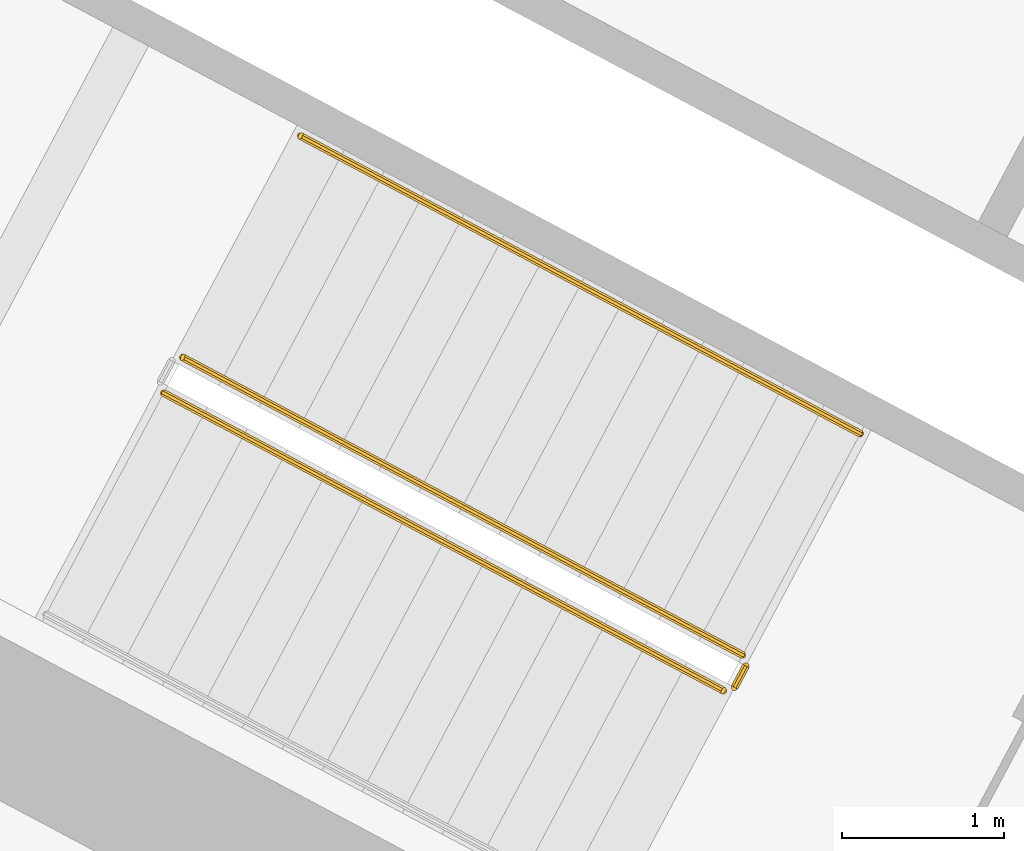
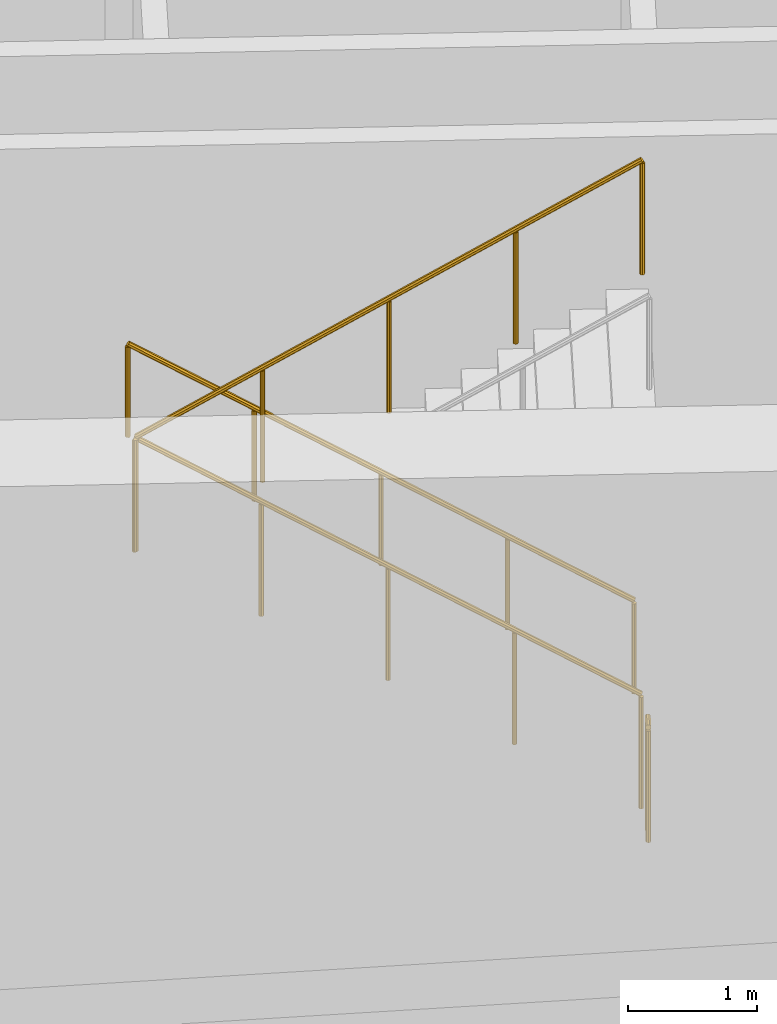
# One storey, part 22 of 30: 4 railings.
"""IFC4 building model written with IfcOpenShell, lengths in metres."""

from ifc_helpers import new_model, si_unit, direction, frame, origin, place, context, subcontext, project, spatial, polyline, outline, extrude, material, type_object, element, save


model = new_model("IFC4")

# Units and contexts
model_context = context("Model", 3, precision=1e-05, world=origin(), true_north=direction((0.0, 1.0)))
body_context = subcontext(model_context, "Body", "Model", "MODEL_VIEW")
ifc_project = project(units=[si_unit("LENGTHUNIT", "METRE"), si_unit("AREAUNIT", "SQUARE_METRE"), si_unit("VOLUMEUNIT", "CUBIC_METRE"), si_unit("PLANEANGLEUNIT", "RADIAN"), si_unit("MASSUNIT", "GRAM", prefix="KILO")], contexts=[model_context])

# Site, building, storey
site_placement = place(None, origin())
site = spatial("IfcSite", under=ifc_project, at=site_placement, CompositionType="ELEMENT")
building_placement = place(site_placement, origin())
building = spatial("IfcBuilding", under=site, at=building_placement, Name="Cormorant Relay Tower", CompositionType="ELEMENT")
storey_placement = place(building_placement, frame((0.0, 0.0, 44.60009765625)))
storey = spatial("IfcBuildingStorey", under=building, at=storey_placement, Name="L08", CompositionType="ELEMENT", Elevation=44.60009765625)

# Railings
ifc_material_1 = material(Name="Steel ASTM A572 Grade 50 (Fy 345 MPa)", Category="steel")
railing_type_1 = type_object("IfcRailingType", Name="Stair guard 1100", PredefinedType="GUARDRAIL", material=ifc_material_1)
railing_1_placement = place(storey_placement, frame((-33.9921875, 10.08935546875, 0.179931640625)))
element("IfcRailing", 1, at=railing_1_placement, inside=storey, type_object=railing_type_1, Name="L08 A2 stair guard 1", PredefinedType="GUARDRAIL", context=body_context, shape_type="SweptSolid", body=[
    extrude(outline(polyline([(0.022216796875, 0.00927734375), (0.00927734375, 0.022216796875), (-0.00927734375, 0.022216796875), (-0.022216796875, 0.00927734375), (-0.022216796875, -0.00927734375), (-0.00927734375, -0.022216796875), (0.00927734375, -0.022216796875), (0.022216796875, -0.00927734375), (0.022216796875, 0.00927734375)])), frame((0.0, 0.0, 1.076171875), z_axis=(-0.74271721126, 0.394907409077, 0.540758062681), x_axis=(-0.469469396681, -0.882948744594, 0.0)), (0.0, 0.0, 1.0), 4.66015625),
    extrude(outline(polyline([(0.019287109375, 0.008056640625), (0.008056640625, 0.019287109375), (-0.008056640625, 0.019287109375), (-0.019287109375, 0.008056640625), (-0.019287109375, -0.008056640625), (-0.008056640625, -0.019287109375), (0.008056640625, -0.019287109375), (0.019287109375, -0.008056640625), (0.019287109375, 0.008056640625)])), origin(), (0.0, 0.0, 1.0), 1.052001953125),
    extrude(outline(polyline([(0.019287109375, 0.008056640625), (0.008056640625, 0.019287109375), (-0.008056640625, 0.019287109375), (-0.019287109375, 0.008056640625), (-0.019287109375, -0.008056640625), (-0.008056640625, -0.019287109375), (0.008056640625, -0.019287109375), (0.019287109375, -0.008056640625), (0.019287109375, 0.008056640625)])), frame((-0.865234375, 0.4599609375, 0.6298828125)), (0.0, 0.0, 1.0), 1.052001953125),
    extrude(outline(polyline([(0.019287109375, 0.008056640625), (0.008056640625, 0.019287109375), (-0.008056640625, 0.019287109375), (-0.019287109375, 0.008056640625), (-0.019287109375, -0.008056640625), (-0.008056640625, -0.019287109375), (0.008056640625, -0.019287109375), (0.019287109375, -0.008056640625), (0.019287109375, 0.008056640625)])), frame((-1.73046875, 0.920166015625, 1.260009765625)), (0.0, 0.0, 1.0), 1.052001953125),
    extrude(outline(polyline([(0.019287109375, 0.008056640625), (0.008056640625, 0.019287109375), (-0.008056640625, 0.019287109375), (-0.019287109375, 0.008056640625), (-0.019287109375, -0.008056640625), (-0.008056640625, -0.019287109375), (0.008056640625, -0.019287109375), (0.019287109375, -0.008056640625), (0.019287109375, 0.008056640625)])), frame((-2.595947265625, 1.38037109375, 1.89013671875)), (0.0, 0.0, 1.0), 1.052001953125),
    extrude(outline(polyline([(0.019287109375, 0.008056640625), (0.008056640625, 0.019287109375), (-0.008056640625, 0.019287109375), (-0.019287109375, 0.008056640625), (-0.019287109375, -0.008056640625), (-0.008056640625, -0.019287109375), (0.008056640625, -0.019287109375), (0.019287109375, -0.008056640625), (0.019287109375, 0.008056640625)])), frame((-3.461181640625, 1.84033203125, 2.52001953125)), (0.0, 0.0, 1.0), 1.052001953125),
])
railing_2_placement = place(storey_placement, frame((-37.57080078125, 11.708984375, 2.8798828125)))
element("IfcRailing", 2, at=railing_2_placement, inside=storey, type_object=railing_type_1, Name="L08 A2 stair guard 3", PredefinedType="GUARDRAIL", context=body_context, shape_type="SweptSolid", body=[
    extrude(outline(polyline([(0.022216796875, 0.00927734375), (0.00927734375, 0.022216796875), (-0.00927734375, 0.022216796875), (-0.022216796875, 0.00927734375), (-0.022216796875, -0.00927734375), (-0.00927734375, -0.022216796875), (0.00927734375, -0.022216796875), (0.022216796875, -0.00927734375), (0.022216796875, 0.00927734375)])), frame((0.0, 0.0, 1.076171875), z_axis=(0.74271721126, -0.394907409077, 0.540758062681), x_axis=(0.469469396681, 0.882948744594, 0.0)), (0.0, 0.0, 1.0), 4.66015625),
    extrude(outline(polyline([(0.019287109375, 0.008056640625), (0.008056640625, 0.019287109375), (-0.008056640625, 0.019287109375), (-0.019287109375, 0.008056640625), (-0.019287109375, -0.008056640625), (-0.008056640625, -0.019287109375), (0.008056640625, -0.019287109375), (0.019287109375, -0.008056640625), (0.019287109375, 0.008056640625)])), origin(), (0.0, 0.0, 1.0), 1.052001953125),
    extrude(outline(polyline([(0.019287109375, 0.008056640625), (0.008056640625, 0.019287109375), (-0.008056640625, 0.019287109375), (-0.019287109375, 0.008056640625), (-0.019287109375, -0.008056640625), (-0.008056640625, -0.019287109375), (0.008056640625, -0.019287109375), (0.019287109375, -0.008056640625), (0.019287109375, 0.008056640625)])), frame((0.865234375, -0.4599609375, 0.6298828125)), (0.0, 0.0, 1.0), 1.052001953125),
    extrude(outline(polyline([(0.019287109375, 0.008056640625), (0.008056640625, 0.019287109375), (-0.008056640625, 0.019287109375), (-0.019287109375, 0.008056640625), (-0.019287109375, -0.008056640625), (-0.008056640625, -0.019287109375), (0.008056640625, -0.019287109375), (0.019287109375, -0.008056640625), (0.019287109375, 0.008056640625)])), frame((1.73046875, -0.920166015625, 1.260009765625)), (0.0, 0.0, 1.0), 1.052001953125),
    extrude(outline(polyline([(0.019287109375, 0.008056640625), (0.008056640625, 0.019287109375), (-0.008056640625, 0.019287109375), (-0.019287109375, 0.008056640625), (-0.019287109375, -0.008056640625), (-0.008056640625, -0.019287109375), (0.008056640625, -0.019287109375), (0.019287109375, -0.008056640625), (0.019287109375, 0.008056640625)])), frame((2.595947265625, -1.38037109375, 1.89013671875)), (0.0, 0.0, 1.0), 1.052001953125),
    extrude(outline(polyline([(0.019287109375, 0.008056640625), (0.008056640625, 0.019287109375), (-0.008056640625, 0.019287109375), (-0.019287109375, 0.008056640625), (-0.019287109375, -0.008056640625), (-0.008056640625, -0.019287109375), (0.008056640625, -0.019287109375), (0.019287109375, -0.008056640625), (0.019287109375, 0.008056640625)])), frame((3.461181640625, -1.84033203125, 2.52001953125)), (0.0, 0.0, 1.0), 1.052001953125),
])
railing_3_placement = place(storey_placement, frame((-33.971435546875, 10.021728515625, 0.0)))
element("IfcRailing", 3, at=railing_3_placement, inside=storey, type_object=railing_type_1, Name="L08 A2 stair guard 4", PredefinedType="GUARDRAIL", context=body_context, shape_type="SweptSolid", body=[
    extrude(outline(polyline([(0.022216796875, 0.00927734375), (0.00927734375, 0.022216796875), (-0.00927734375, 0.022216796875), (-0.022216796875, 0.00927734375), (-0.022216796875, -0.00927734375), (-0.00927734375, -0.022216796875), (0.00927734375, -0.022216796875), (0.022216796875, -0.00927734375), (0.022216796875, 0.00927734375)])), frame((0.0, 0.0, 1.076171875), z_axis=(-0.470503732759, -0.882398003998, 0.0), x_axis=(0.882398003998, -0.470503732759, 0.0)), (0.0, 0.0, 1.0), 0.14990234375),
    extrude(outline(polyline([(0.019287109375, 0.008056640625), (0.008056640625, 0.019287109375), (-0.008056640625, 0.019287109375), (-0.019287109375, 0.008056640625), (-0.019287109375, -0.008056640625), (-0.008056640625, -0.019287109375), (0.008056640625, -0.019287109375), (0.019287109375, -0.008056640625), (0.019287109375, 0.008056640625)])), origin(), (0.0, 0.0, 1.0), 1.052001953125),
    extrude(outline(polyline([(0.019287109375, 0.008056640625), (0.008056640625, 0.019287109375), (-0.008056640625, 0.019287109375), (-0.019287109375, 0.008056640625), (-0.019287109375, -0.008056640625), (-0.008056640625, -0.019287109375), (0.008056640625, -0.019287109375), (0.019287109375, -0.008056640625), (0.019287109375, 0.008056640625)])), frame((-0.070556640625, -0.13232421875, 0.0)), (0.0, 0.0, 1.0), 1.052001953125),
])
ifc_material_2 = material(Name="Steel ASTM A572 Grade 50 (Fy 345 MPa)", Category="steel")
railing_type_2 = type_object("IfcRailingType", Name="Stair handrail 900", PredefinedType="HANDRAIL", material=ifc_material_2)
railing_4_placement = place(storey_placement, frame((-33.264404296875, 11.4580078125, 0.179931640625)))
element("IfcRailing", 4, at=railing_4_placement, inside=storey, type_object=railing_type_2, Name="L08 A2 stair handrail 1", PredefinedType="HANDRAIL", context=body_context, shape_type="SweptSolid", body=[
    extrude(outline(polyline([(0.022216796875, 0.00927734375), (0.00927734375, 0.022216796875), (-0.00927734375, 0.022216796875), (-0.022216796875, 0.00927734375), (-0.022216796875, -0.00927734375), (-0.00927734375, -0.022216796875), (0.00927734375, -0.022216796875), (0.022216796875, -0.00927734375), (0.022216796875, 0.00927734375)])), frame((0.0, 0.0, 0.8759765625), z_axis=(-0.74271721126, 0.394907409077, 0.540758062681), x_axis=(-0.469469396681, -0.882948744594, 0.0)), (0.0, 0.0, 1.0), 4.66015625),
    extrude(outline(polyline([(0.019287109375, 0.008056640625), (0.008056640625, 0.019287109375), (-0.008056640625, 0.019287109375), (-0.019287109375, 0.008056640625), (-0.019287109375, -0.008056640625), (-0.008056640625, -0.019287109375), (0.008056640625, -0.019287109375), (0.019287109375, -0.008056640625), (0.019287109375, 0.008056640625)])), origin(), (0.0, 0.0, 1.0), 0.851806640625),
    extrude(outline(polyline([(0.019287109375, 0.008056640625), (0.008056640625, 0.019287109375), (-0.008056640625, 0.019287109375), (-0.019287109375, 0.008056640625), (-0.019287109375, -0.008056640625), (-0.008056640625, -0.019287109375), (0.008056640625, -0.019287109375), (0.019287109375, -0.008056640625), (0.019287109375, 0.008056640625)])), frame((-0.865234375, 0.4599609375, 0.6298828125)), (0.0, 0.0, 1.0), 0.851806640625),
    extrude(outline(polyline([(0.019287109375, 0.008056640625), (0.008056640625, 0.019287109375), (-0.008056640625, 0.019287109375), (-0.019287109375, 0.008056640625), (-0.019287109375, -0.008056640625), (-0.008056640625, -0.019287109375), (0.008056640625, -0.019287109375), (0.019287109375, -0.008056640625), (0.019287109375, 0.008056640625)])), frame((-1.73046875, 0.920166015625, 1.260009765625)), (0.0, 0.0, 1.0), 0.851806640625),
    extrude(outline(polyline([(0.019287109375, 0.008056640625), (0.008056640625, 0.019287109375), (-0.008056640625, 0.019287109375), (-0.019287109375, 0.008056640625), (-0.019287109375, -0.008056640625), (-0.008056640625, -0.019287109375), (0.008056640625, -0.019287109375), (0.019287109375, -0.008056640625), (0.019287109375, 0.008056640625)])), frame((-2.595947265625, 1.38037109375, 1.89013671875)), (0.0, 0.0, 1.0), 0.851806640625),
    extrude(outline(polyline([(0.019287109375, 0.008056640625), (0.008056640625, 0.019287109375), (-0.008056640625, 0.019287109375), (-0.019287109375, 0.008056640625), (-0.019287109375, -0.008056640625), (-0.008056640625, -0.019287109375), (0.008056640625, -0.019287109375), (0.019287109375, -0.008056640625), (0.019287109375, 0.008056640625)])), frame((-3.461181640625, 1.84033203125, 2.52001953125)), (0.0, 0.0, 1.0), 0.851806640625),
])

save(model, "model.ifc")
